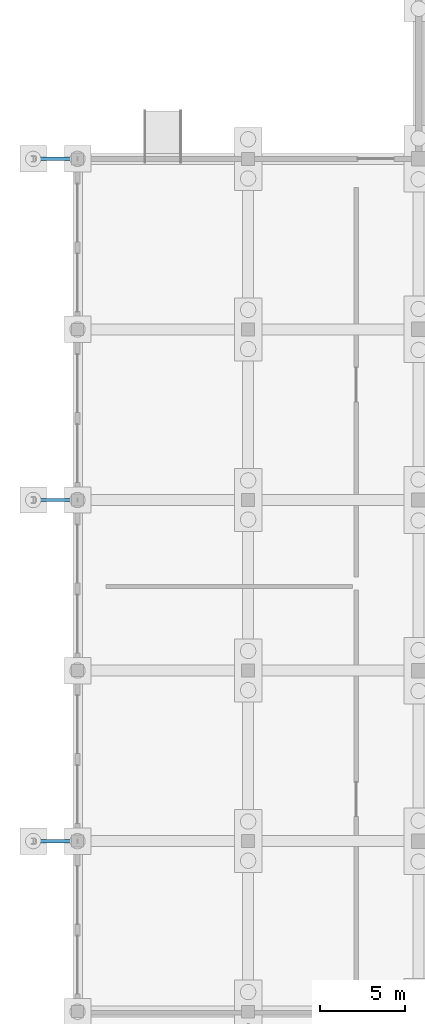
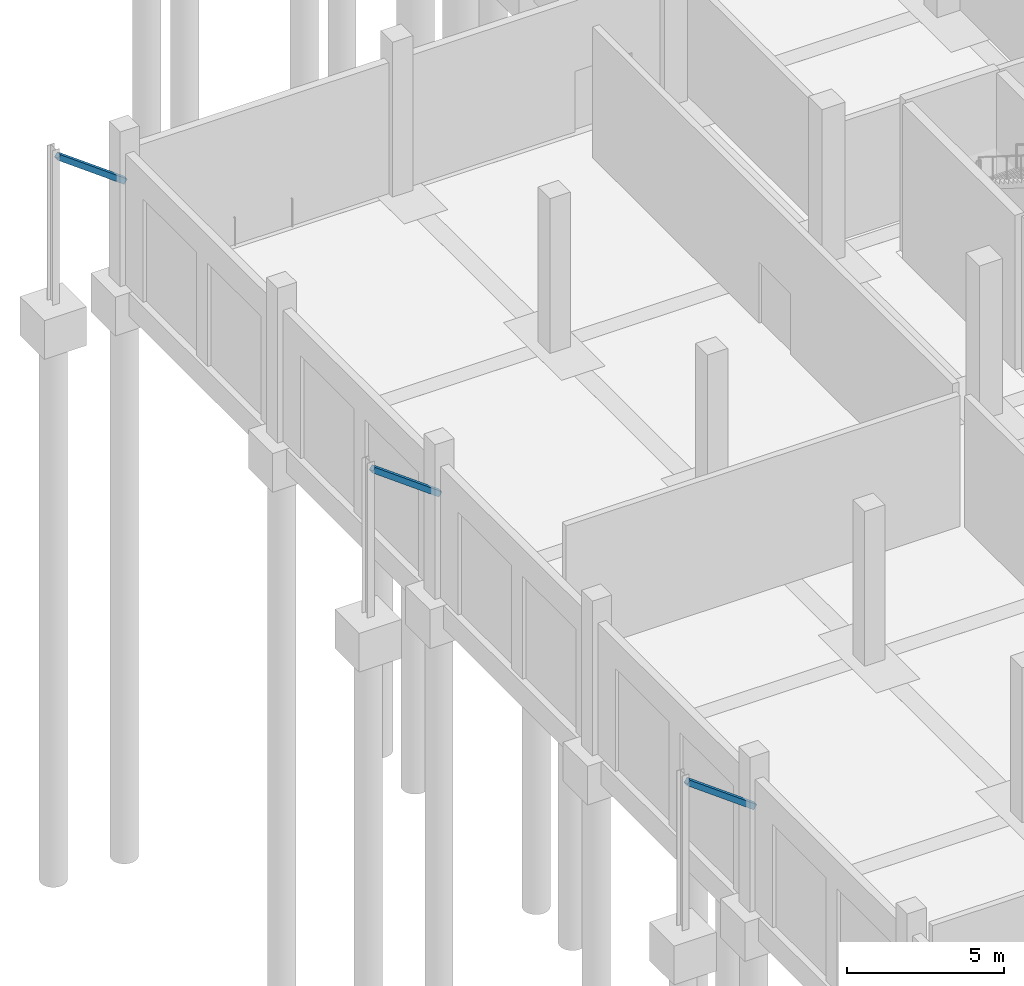
# One storey, part 34 of 140: 3 members.
"""IFC4 building model written with IfcOpenShell, lengths in metres."""

from ifc_helpers import new_model, si_unit, direction, frame, origin, origin_2d, place, context, subcontext, project, spatial, hollow_rectangle, extrude, material, material_profile, profile_set, type_object, element, save


model = new_model("IFC4")

# Units and contexts
model_context = context("Model", 3, precision=1e-05, world=origin(), true_north=direction((0.0, 1.0)))
body_context = subcontext(model_context, "Body", "Model", "MODEL_VIEW")
ifc_project = project(units=[si_unit("LENGTHUNIT", "METRE"), si_unit("AREAUNIT", "SQUARE_METRE"), si_unit("VOLUMEUNIT", "CUBIC_METRE"), si_unit("PLANEANGLEUNIT", "RADIAN"), si_unit("MASSUNIT", "GRAM", prefix="KILO")], contexts=[model_context])

# Site, building, storey
site_placement = place(None, origin())
site = spatial("IfcSite", under=ifc_project, at=site_placement, CompositionType="ELEMENT")
building_placement = place(site_placement, origin())
building = spatial("IfcBuilding", under=site, at=building_placement, Name="Corvandel Quay Wholesale Market", CompositionType="ELEMENT")
storey_placement = place(building_placement, origin())
storey = spatial("IfcBuildingStorey", under=building, at=storey_placement, Name="L00", CompositionType="ELEMENT", Elevation=0.0)

# Members
ifc_material = material(Name="Steel A500 Grade C", Category="steel")
ifc_material_profile = material_profile(ifc_material, hollow_rectangle(XDim=0.202880859375, YDim=0.202880859375, WallThickness=0.0087890625, at=origin_2d()), Name="HSS8X8X3/8")
ifc_profile_set = profile_set([ifc_material_profile], Name="Steel A500 Grade C")
member_type = type_object("IfcMemberType", Name="Canopy Inclined Strut Brace BR02 HSS8X8", PredefinedType="BRACE", material=ifc_profile_set)
for number, where, z_axis, x_axis, name in (
    (1, (0.0, 70.0, 3.800048828125), (-0.805868518899, 0.0, 0.592094528136), (0.0, -1.0, 0.0), "Member MEM-0113"),
    (2, (0.0, 90.0, 3.800048828125), (-0.805868518899, 0.0, 0.592094528136), (0.0, -1.0, 0.0), "Member MEM-0114"),
    (3, (0.0, 110.0, 3.800048828125), (-0.805868518899, 0.0, 0.592094528136), (0.0, -1.0, 0.0), "Member MEM-0115"),
):
    element("IfcMember", number, at=place(storey_placement, frame(where, z_axis=z_axis, x_axis=x_axis)), inside=storey, type_object=member_type, Name=name, PredefinedType="BRACE", context=body_context, shape_type="SweptSolid", body=[
        extrude(hollow_rectangle(XDim=0.202880859375, YDim=0.202880859375, WallThickness=0.0087890625, at=origin_2d()), origin(), (0.0, 0.0, 1.0), 3.0400390625),
    ])

save(model, "model.ifc")
